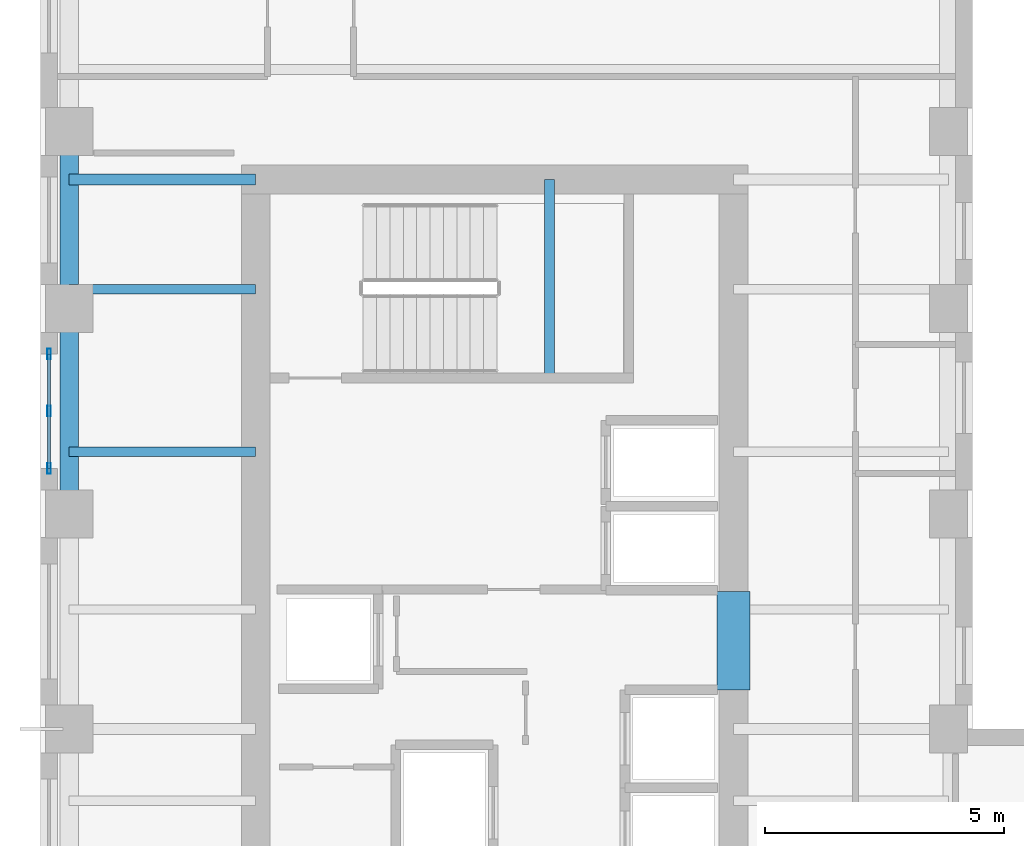
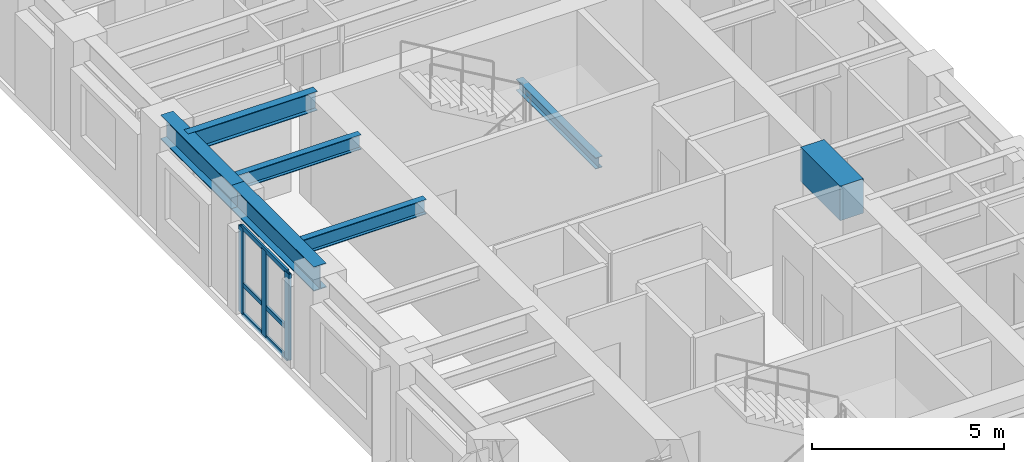
# One storey, part 2 of 13: 7 beams, 6 members, 1 element without a shape of its own.
"""IFC4 building model written with IfcOpenShell, lengths in metres."""

from ifc_helpers import new_model, si_unit, direction, frame, origin, origin_2d, place, context, subcontext, project, spatial, rectangle, hollow_rectangle, i_section, extrude, source, transform, mapped, material, layer, layer_set, material_profile, profile_set, type_object, element, aggregate, save


model = new_model("IFC4")

# Units and contexts
model_context = context("Model", 3, precision=1e-05, world=origin(), true_north=direction((0.0, 1.0)))
body_context = subcontext(model_context, "Body", "Model", "MODEL_VIEW")
ifc_project = project(units=[si_unit("LENGTHUNIT", "METRE"), si_unit("AREAUNIT", "SQUARE_METRE"), si_unit("VOLUMEUNIT", "CUBIC_METRE"), si_unit("PLANEANGLEUNIT", "RADIAN"), si_unit("MASSUNIT", "GRAM", prefix="KILO")], contexts=[model_context])

# Site, building, storey
site_placement = place(None, origin())
site = spatial("IfcSite", under=ifc_project, at=site_placement, CompositionType="ELEMENT")
building_placement = place(site_placement, origin())
building = spatial("IfcBuilding", under=site, at=building_placement, Name="Kharzan Plaza Tower", CompositionType="ELEMENT")
storey_placement = place(building_placement, frame((0.0, 0.0, 143.10009765625)))
storey = spatial("IfcBuildingStorey", under=building, at=storey_placement, Name="L38", CompositionType="ELEMENT", Elevation=143.10009765625)

# Beams
ifc_material_1 = material(Name="Concrete C60/75", Category="concrete")
ifc_material_profile_1 = material_profile(ifc_material_1, rectangle(XDim=0.699951171875, YDim=1.10009765625, at=origin_2d()), Name="RC-CB1100x700")
ifc_profile_set_1 = profile_set([ifc_material_profile_1], Name="Concrete C60/75")
beam_type_1 = type_object("IfcBeamType", Name="BM-RCCB1100", PredefinedType="LINTEL", material=ifc_profile_set_1)
shared_shape_1 = source(origin(), body_context, "Body", "SweptSolid", [
    extrude(rectangle(XDim=0.699951171875, YDim=1.10009765625, at=origin_2d()), origin(), (0.0, 0.0, 1.0), 2.059814453125),
])
beam_1_placement = place(storey_placement, frame((14.5, 18.820068359375, 2.849853515625), z_axis=(0.0, 1.0, 0.0), x_axis=(-1.0, 0.0, 0.0)))
element("IfcBeam", 1, at=beam_1_placement, inside=storey, type_object=beam_type_1, Name="L38 CORE-A RC coupling beam CB1", PredefinedType="LINTEL", context=body_context, shape_type="MappedRepresentation", body=[
    mapped(shared_shape_1, transform((0.0, 0.0, 0.0), x_axis=(1.0, 0.0, 0.0), y_axis=(0.0, 1.0, 0.0), z_axis=(0.0, 0.0, 1.0))),
])
ifc_material_2 = material(Name="Steel S355", Category="steel")
ifc_material_profile_2 = material_profile(ifc_material_2, i_section(OverallWidth=0.205078125, OverallDepth=0.35400390625, WebThickness=0.009521484375, FlangeThickness=0.016845703125, at=origin_2d()), Name="W360x79")
ifc_profile_set_2 = profile_set([ifc_material_profile_2], Name="Steel S355")
beam_type_2 = type_object("IfcBeamType", Name="BM-LNT360", PredefinedType="LINTEL", material=ifc_profile_set_2)
shared_shape_2 = source(origin(), body_context, "Body", "SweptSolid", [
    extrude(i_section(OverallWidth=0.205078125, OverallDepth=0.35400390625, WebThickness=0.009521484375, FlangeThickness=0.016845703125, at=origin_2d()), origin(), (0.0, 0.0, 1.0), 4.155029296875),
])
beam_2_placement = place(storey_placement, frame((10.64990234375, 25.344970703125, 1.4228515625), z_axis=(0.0, 1.0, 0.0), x_axis=(-1.0, 0.0, 0.0)))
element("IfcBeam", 2, at=beam_2_placement, inside=storey, type_object=beam_type_2, Name="L38 Stair ST-2 Half-Landing Beam", PredefinedType="LINTEL", context=body_context, shape_type="MappedRepresentation", body=[
    mapped(shared_shape_2, transform((0.0, 0.0, 0.0), x_axis=(1.0, 0.0, 0.0), y_axis=(0.0, 1.0, 0.0), z_axis=(0.0, 0.0, 1.0))),
])
ifc_material_profile_3 = material_profile(ifc_material_2, i_section(OverallWidth=0.194091796875, OverallDepth=0.468994140625, WebThickness=0.011474609375, FlangeThickness=0.0205078125, at=origin_2d()), Name="W460x106")
ifc_profile_set_3 = profile_set([ifc_material_profile_3], Name="Steel S355")
beam_type_3 = type_object("IfcBeamType", Name="BM-JST460", PredefinedType="JOIST", material=ifc_profile_set_3)
shared_shape_3 = source(origin(), body_context, "Body", "SweptSolid", [
    extrude(i_section(OverallWidth=0.194091796875, OverallDepth=0.468994140625, WebThickness=0.011474609375, FlangeThickness=0.0205078125, at=origin_2d()), origin(), (0.0, 0.0, 1.0), 3.89990234375),
])
for number, where, z_axis, x_axis, name in (
    (3, (0.60009765625, 23.800048828125, 3.165283203125), (1.0, 0.0, 0.0), (0.0, 1.0, 0.0), "L38 Wing A West Infill Joist 5"),
    (4, (0.60009765625, 27.199951171875, 3.165283203125), (1.0, 0.0, 0.0), (0.0, 1.0, 0.0), "L38 Wing A West Infill Joist 6"),
):
    element("IfcBeam", number, at=place(storey_placement, frame(where, z_axis=z_axis, x_axis=x_axis)), inside=storey, type_object=beam_type_3, Name=name, PredefinedType="JOIST", context=body_context, shape_type="MappedRepresentation", body=[
        mapped(shared_shape_3, transform((0.0, 0.0, 0.0), x_axis=(1.0, 0.0, 0.0), y_axis=(0.0, 1.0, 0.0), z_axis=(0.0, 0.0, 1.0))),
    ])

# Curtain wall, members
ifc_material_3 = material(Name="Unitised Bronze-Anodized Aluminium and Low-E Glass", Category="aluminium")
ifc_layer = layer(ifc_material_3, 0.199951171875)
ifc_layer_set = layer_set([ifc_layer], Name="Unitised Bronze-Anodized Aluminium and Low-E Glass")
curtain_wall_type = type_object("IfcCurtainWallType", Name="CW-SKY-4", PredefinedType="NOTDEFINED", material=ifc_layer_set)
curtain_wall_placement = place(storey_placement, origin())
curtain_wall = element("IfcCurtainWall", 5, at=curtain_wall_placement, inside=storey, type_object=curtain_wall_type, Name="L38 Sky-Lobby and Transfer Zone Feature Curtain Wall", PredefinedType="NOTDEFINED")
ifc_material_4 = material(Name="Anodized Bronze Aluminium", Category="aluminium")
ifc_material_profile_4 = material_profile(ifc_material_4, hollow_rectangle(XDim=0.06005859375, YDim=0.14990234375, WallThickness=0.00341796875, at=origin_2d()), Name="ALU-T150x60x3.5")
ifc_profile_set_4 = profile_set([ifc_material_profile_4], Name="Anodized Bronze Aluminium")
member_type_1 = type_object("IfcMemberType", Name="MEM-CW-TRN150", PredefinedType="USERDEFINED", material=ifc_profile_set_4)
shared_shape_4 = source(origin(), body_context, "Body", "SweptSolid", [
    extrude(hollow_rectangle(XDim=0.06005859375, YDim=0.14990234375, WallThickness=0.00341796875, at=origin_2d()), origin(), (0.0, 0.0, 1.0), 2.400146484375),
])
member_1_placement = place(storey_placement, frame((0.179931640625, 23.449951171875, 0.0), z_axis=(0.0, 1.0, 0.0), x_axis=(-1.0, 0.0, 0.0)))
member_1 = element("IfcMember", 6, at=member_1_placement, type_object=member_type_1, Name="L38 Curtain-Wall Transom 1", ObjectType="TRANSOM", PredefinedType="USERDEFINED", context=body_context, shape_type="MappedRepresentation", body=[
    mapped(shared_shape_4, transform((0.0, 0.0, 0.0), x_axis=(1.0, 0.0, 0.0), y_axis=(0.0, 1.0, 0.0), z_axis=(0.0, 0.0, 1.0))),
])
member_2_placement = place(storey_placement, frame((0.179931640625, 23.449951171875, 0.949951171875), z_axis=(0.0, 1.0, 0.0), x_axis=(-1.0, 0.0, 0.0)))
member_2 = element("IfcMember", 7, at=member_2_placement, type_object=member_type_1, Name="L38 Curtain-Wall Transom 2", ObjectType="TRANSOM", PredefinedType="USERDEFINED", context=body_context, shape_type="MappedRepresentation", body=[
    mapped(shared_shape_4, transform((0.0, 0.0, 0.0), x_axis=(1.0, 0.0, 0.0), y_axis=(0.0, 1.0, 0.0), z_axis=(0.0, 0.0, 1.0))),
])
member_3_placement = place(storey_placement, frame((0.179931640625, 23.449951171875, 2.75), z_axis=(0.0, 1.0, 0.0), x_axis=(-1.0, 0.0, 0.0)))
member_3 = element("IfcMember", 8, at=member_3_placement, type_object=member_type_1, Name="L38 Curtain-Wall Transom 3", ObjectType="TRANSOM", PredefinedType="USERDEFINED", context=body_context, shape_type="MappedRepresentation", body=[
    mapped(shared_shape_4, transform((0.0, 0.0, 0.0), x_axis=(1.0, 0.0, 0.0), y_axis=(0.0, 1.0, 0.0), z_axis=(0.0, 0.0, 1.0))),
])
ifc_material_profile_5 = material_profile(ifc_material_4, hollow_rectangle(XDim=0.074951171875, YDim=0.219970703125, WallThickness=0.00390625, at=origin_2d()), Name="ALU-M220x75x4")
ifc_profile_set_5 = profile_set([ifc_material_profile_5], Name="Anodized Bronze Aluminium")
member_type_2 = type_object("IfcMemberType", Name="MEM-CW-MUL200", PredefinedType="MULLION", material=ifc_profile_set_5)
shared_shape_5 = source(origin(), body_context, "Body", "SweptSolid", [
    extrude(hollow_rectangle(XDim=0.074951171875, YDim=0.219970703125, WallThickness=0.00390625, at=origin_2d()), origin(), (0.0, 0.0, 1.0), 2.75),
])
member_4_placement = place(storey_placement, frame((0.179931640625, 23.449951171875, 0.0), z_axis=(0.0, 0.0, 1.0), x_axis=(1.0, 0.0, 0.0)))
member_4 = element("IfcMember", 9, at=member_4_placement, type_object=member_type_2, Name="L38 Curtain-Wall Mullion 00", PredefinedType="MULLION", context=body_context, shape_type="MappedRepresentation", body=[
    mapped(shared_shape_5, transform((0.0, 0.0, 0.0), x_axis=(1.0, 0.0, 0.0), y_axis=(0.0, 1.0, 0.0), z_axis=(0.0, 0.0, 1.0))),
])
member_5_placement = place(storey_placement, frame((0.179931640625, 24.64990234375, 0.0), z_axis=(0.0, 0.0, 1.0), x_axis=(1.0, 0.0, 0.0)))
member_5 = element("IfcMember", 10, at=member_5_placement, type_object=member_type_2, Name="L38 Curtain-Wall Mullion 01", PredefinedType="MULLION", context=body_context, shape_type="MappedRepresentation", body=[
    mapped(shared_shape_5, transform((0.0, 0.0, 0.0), x_axis=(1.0, 0.0, 0.0), y_axis=(0.0, 1.0, 0.0), z_axis=(0.0, 0.0, 1.0))),
])
member_6_placement = place(storey_placement, frame((0.179931640625, 25.85009765625, 0.0), z_axis=(0.0, 0.0, 1.0), x_axis=(1.0, 0.0, 0.0)))
member_6 = element("IfcMember", 11, at=member_6_placement, type_object=member_type_2, Name="L38 Curtain-Wall Mullion 02", PredefinedType="MULLION", context=body_context, shape_type="MappedRepresentation", body=[
    mapped(shared_shape_5, transform((0.0, 0.0, 0.0), x_axis=(1.0, 0.0, 0.0), y_axis=(0.0, 1.0, 0.0), z_axis=(0.0, 0.0, 1.0))),
])
aggregate(curtain_wall, [member_4, member_5, member_6, member_1, member_2, member_3])

# Beams
ifc_material_profile_6 = material_profile(ifc_material_2, i_section(OverallWidth=0.22900390625, OverallDepth=0.612060546875, WebThickness=0.011962890625, FlangeThickness=0.01953125, at=origin_2d()), Name="W610x125")
ifc_profile_set_6 = profile_set([ifc_material_profile_6], Name="Steel S355")
beam_type_4 = type_object("IfcBeamType", Name="BM-FG610B", PredefinedType="BEAM", material=ifc_profile_set_6)
shared_shape_6 = source(origin(), body_context, "Body", "SweptSolid", [
    extrude(i_section(OverallWidth=0.22900390625, OverallDepth=0.612060546875, WebThickness=0.011962890625, FlangeThickness=0.01953125, at=origin_2d()), origin(), (0.0, 0.0, 1.0), 3.89990234375),
])
beam_3_placement = place(storey_placement, frame((0.60009765625, 29.5, 3.093994140625), z_axis=(1.0, 0.0, 0.0), x_axis=(0.0, 1.0, 0.0)))
element("IfcBeam", 12, at=beam_3_placement, inside=storey, type_object=beam_type_4, Name="L38 Core-A West Floor Girder 3", PredefinedType="BEAM", context=body_context, shape_type="MappedRepresentation", body=[
    mapped(shared_shape_6, transform((0.0, 0.0, 0.0), x_axis=(1.0, 0.0, 0.0), y_axis=(0.0, 1.0, 0.0), z_axis=(0.0, 0.0, 1.0))),
])
ifc_material_profile_7 = material_profile(ifc_material_2, i_section(OverallWidth=0.381103515625, OverallDepth=0.77294921875, WebThickness=0.0166015625, FlangeThickness=0.027587890625, at=origin_2d()), Name="W760x257")
ifc_profile_set_7 = profile_set([ifc_material_profile_7], Name="Steel S355")
beam_type_5 = type_object("IfcBeamType", Name="BM-SP760A", PredefinedType="SPANDREL", material=ifc_profile_set_7)
shared_shape_7 = source(origin(), body_context, "Body", "SweptSolid", [
    extrude(i_section(OverallWidth=0.381103515625, OverallDepth=0.77294921875, WebThickness=0.0166015625, FlangeThickness=0.027587890625, at=origin_2d()), origin(), (0.0, 0.0, 1.0), 4.300048828125),
])
beam_4_placement = place(storey_placement, frame((0.60009765625, 22.5, 3.013427734375), z_axis=(0.0, 1.0, 0.0), x_axis=(-1.0, 0.0, 0.0)))
element("IfcBeam", 13, at=beam_4_placement, inside=storey, type_object=beam_type_5, Name="L38 Perimeter Tube Spandrel", PredefinedType="SPANDREL", context=body_context, shape_type="MappedRepresentation", body=[
    mapped(shared_shape_7, transform((0.0, 0.0, 0.0), x_axis=(1.0, 0.0, 0.0), y_axis=(0.0, 1.0, 0.0), z_axis=(0.0, 0.0, 1.0))),
])
shared_shape_8 = source(origin(), body_context, "Body", "SweptSolid", [
    extrude(i_section(OverallWidth=0.381103515625, OverallDepth=0.77294921875, WebThickness=0.0166015625, FlangeThickness=0.027587890625, at=origin_2d()), origin(), (0.0, 0.0, 1.0), 3.699951171875),
])
beam_5_placement = place(storey_placement, frame((0.60009765625, 26.800048828125, 3.013427734375), z_axis=(0.0, 1.0, 0.0), x_axis=(-1.0, 0.0, 0.0)))
element("IfcBeam", 14, at=beam_5_placement, inside=storey, type_object=beam_type_5, Name="L38 Perimeter Tube Spandrel", PredefinedType="SPANDREL", context=body_context, shape_type="MappedRepresentation", body=[
    mapped(shared_shape_8, transform((0.0, 0.0, 0.0), x_axis=(1.0, 0.0, 0.0), y_axis=(0.0, 1.0, 0.0), z_axis=(0.0, 0.0, 1.0))),
])

save(model, "model.ifc")
